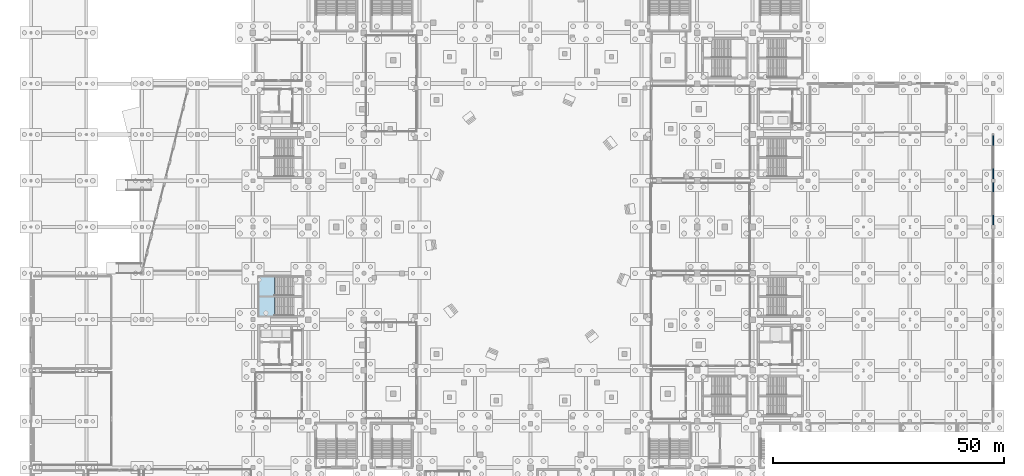
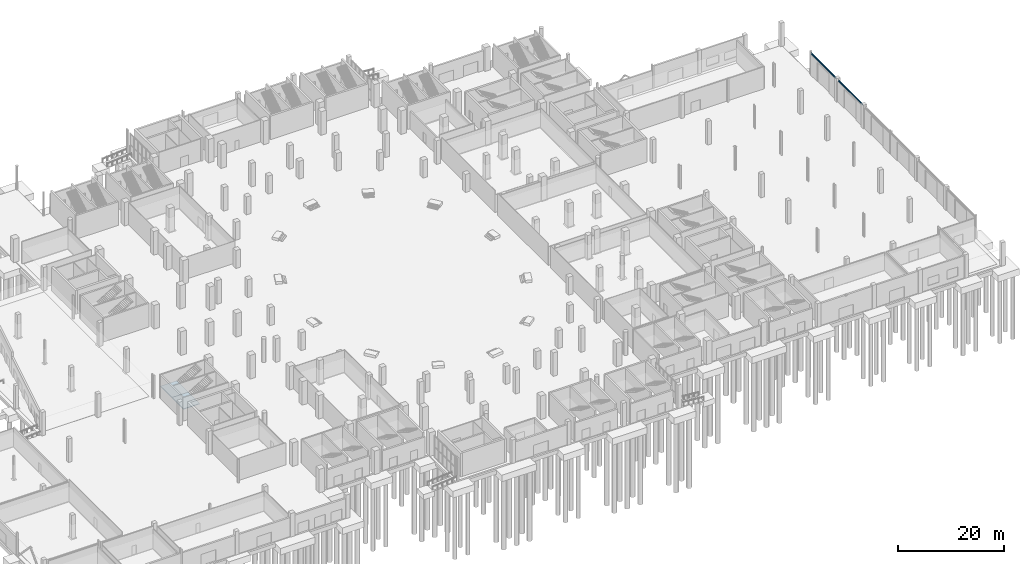
# One storey, part 39 of 70: 2 beams, 2 slabs, 2 elements without a shape of their own.
"""IFC4 building model written with IfcOpenShell, lengths in metres."""

from ifc_helpers import new_model, si_unit, direction, frame, origin, origin_2d, place, context, subcontext, project, spatial, polyline, i_section, outline, extrude, material, layer, layer_set, material_profile, profile_set, type_object, element, aggregate, save


model = new_model("IFC4")

# Units and contexts
model_context = context("Model", 3, precision=1e-05, world=origin(), true_north=direction((0.0, 1.0)))
body_context = subcontext(model_context, "Body", "Model", "MODEL_VIEW")
ifc_project = project(units=[si_unit("LENGTHUNIT", "METRE"), si_unit("AREAUNIT", "SQUARE_METRE"), si_unit("VOLUMEUNIT", "CUBIC_METRE"), si_unit("PLANEANGLEUNIT", "RADIAN"), si_unit("MASSUNIT", "GRAM", prefix="KILO")], contexts=[model_context])

# Site, building, storey
site_placement = place(None, origin())
site = spatial("IfcSite", under=ifc_project, at=site_placement, CompositionType="ELEMENT")
building_placement = place(site_placement, origin())
building = spatial("IfcBuilding", under=site, at=building_placement, Name="Brinegate Civic Arena", CompositionType="ELEMENT")
storey_placement = place(building_placement, origin())
storey = spatial("IfcBuildingStorey", under=building, at=storey_placement, Name="L00", CompositionType="ELEMENT", Elevation=0.0)

# Beams
ifc_material_1 = material(Name="Steel S355", Category="steel")
ifc_material_profile = material_profile(ifc_material_1, i_section(OverallWidth=0.1669921875, OverallDepth=0.31689453125, WebThickness=0.008056640625, FlangeThickness=0.012939453125, FilletRadius=0.012939453125, at=origin_2d()), Name="W310X52")
ifc_profile_set = profile_set([ifc_material_profile], Name="Steel S355")
beam_type = type_object("IfcBeamType", Name="LINTEL-W310X52", PredefinedType="LINTEL", material=ifc_profile_set)
beam_1_placement = place(storey_placement, frame((208.0, 62.39990234375, 4.89990234375), z_axis=(0.0, 1.0, 0.0), x_axis=(-1.0, 0.0, 0.0)))
element("IfcBeam", 1, at=beam_1_placement, inside=storey, type_object=beam_type, Name="Dock Bay Canopy Lintel Header BL-DOCK-05", PredefinedType="LINTEL", context=body_context, shape_type="SweptSolid", body=[
    extrude(i_section(OverallWidth=0.1669921875, OverallDepth=0.31689453125, WebThickness=0.008056640625, FlangeThickness=0.012939453125, FilletRadius=0.012939453125, at=origin_2d()), origin(), (0.0, 0.0, 1.0), 9.2001953125),
])
beam_2_placement = place(storey_placement, frame((208.0, 72.39990234375, 4.89990234375), z_axis=(0.0, 1.0, 0.0), x_axis=(-1.0, 0.0, 0.0)))
element("IfcBeam", 2, at=beam_2_placement, inside=storey, type_object=beam_type, Name="Dock Bay Canopy Lintel Header BL-DOCK-06", PredefinedType="LINTEL", context=body_context, shape_type="SweptSolid", body=[
    extrude(i_section(OverallWidth=0.1669921875, OverallDepth=0.31689453125, WebThickness=0.008056640625, FlangeThickness=0.012939453125, FilletRadius=0.012939453125, at=origin_2d()), origin(), (0.0, 0.0, 1.0), 9.425048828125),
])

# Stair, slab
ifc_material_2 = material(Name="Concrete C40/50", Category="concrete")
stair_type_1 = type_object("IfcStairType", Name="STAIR-EXIT-3850", PredefinedType="HALF_TURN_STAIR", material=ifc_material_2)
stair_1_placement = place(storey_placement, origin())
stair_1 = element("IfcStair", 3, at=stair_1_placement, inside=storey, type_object=stair_type_1, Name="Protected Exit Stair ST-08A (L00)", PredefinedType="HALF_TURN_STAIR")
ifc_layer = layer(ifc_material_2, 0.179931640625, Name="Concrete C40/50")
ifc_layer_set = layer_set([ifc_layer], Name="Concrete C40/50")
slab_type = type_object("IfcSlabType", Name="SLAB-LANDING-180", PredefinedType="LANDING", material=ifc_layer_set)
slab_1_placement = place(storey_placement, frame((0.0, 0.0, 2.52001953125)))
slab_1 = element("IfcSlab", 4, at=slab_1_placement, type_object=slab_type, Name="ST-08A landing 1", PredefinedType="LANDING", context=body_context, shape_type="SweptSolid", body=[
    extrude(outline(polyline([(49.199951171875, 42.695068359375), (52.7099609375, 42.695068359375), (52.7099609375, 47.0048828125), (49.199951171875, 47.0048828125), (49.199951171875, 42.695068359375)])), origin(), (0.0, 0.0, 1.0), 0.179931640625),
])
aggregate(stair_1, [slab_1])

stair_type_2 = type_object("IfcStairType", Name="STAIR-EXIT-3700", PredefinedType="HALF_TURN_STAIR", material=ifc_material_2)
stair_2_placement = place(storey_placement, origin())
stair_2 = element("IfcStair", 5, at=stair_2_placement, inside=storey, type_object=stair_type_2, Name="Protected Exit Stair ST-08B (L00)", PredefinedType="HALF_TURN_STAIR")
slab_2_placement = place(storey_placement, frame((0.0, 0.0, 2.52001953125)))
slab_2 = element("IfcSlab", 6, at=slab_2_placement, type_object=slab_type, Name="ST-08B landing 1", PredefinedType="LANDING", context=body_context, shape_type="SweptSolid", body=[
    extrude(outline(polyline([(49.199951171875, 46.9951171875), (52.7099609375, 46.9951171875), (52.7099609375, 51.304931640625), (49.199951171875, 51.304931640625), (49.199951171875, 46.9951171875)])), origin(), (0.0, 0.0, 1.0), 0.179931640625),
])
aggregate(stair_2, [slab_2])

save(model, "model.ifc")
